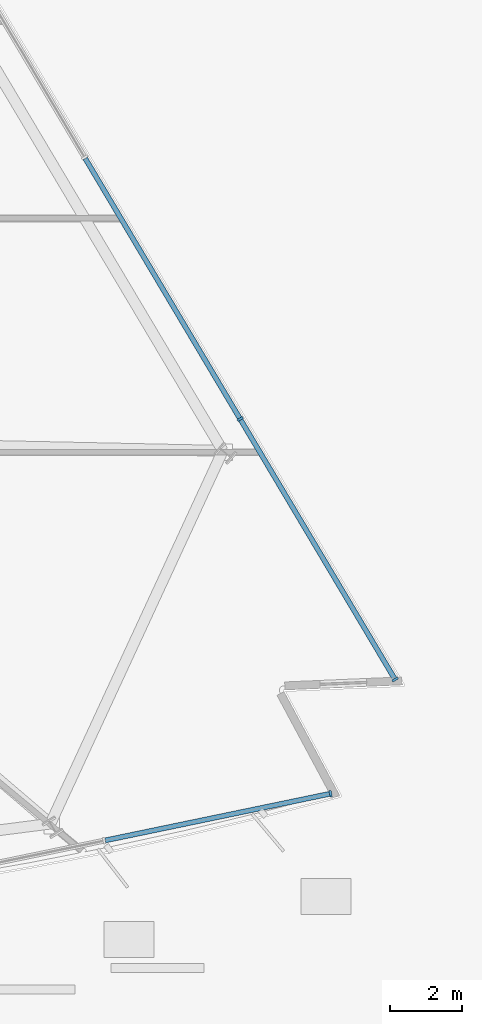
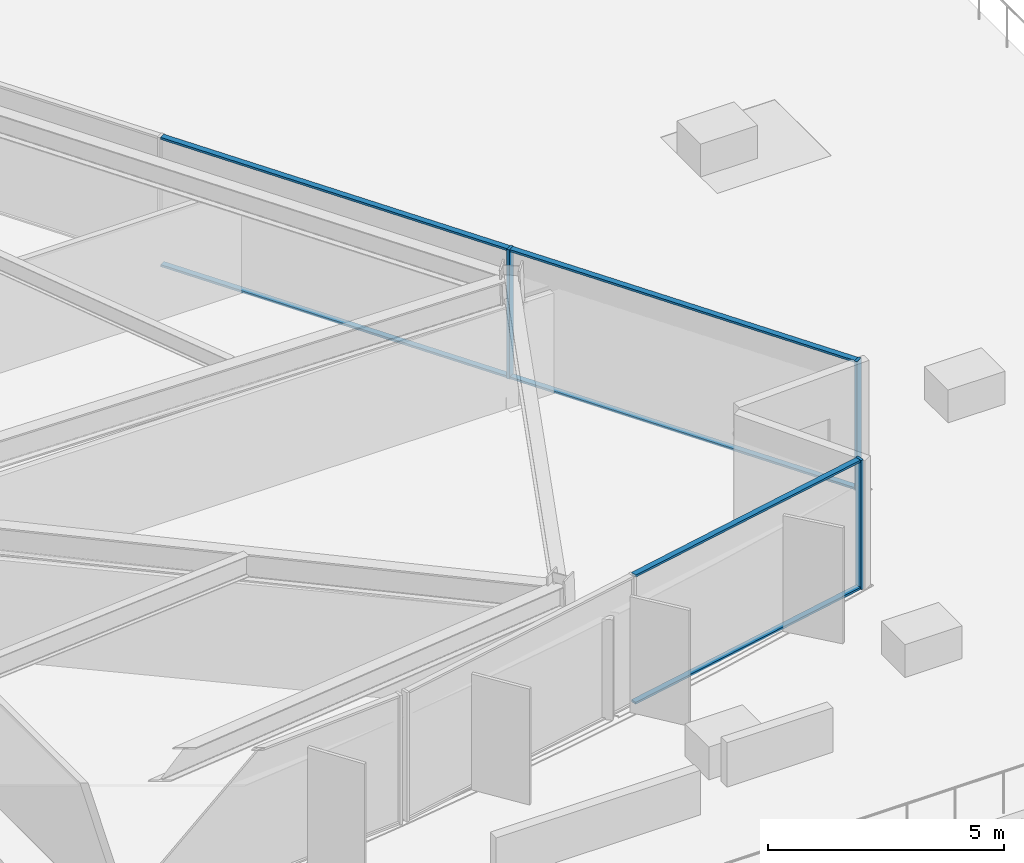
# One storey, part 6 of 19: 9 members, 2 elements without a shape of their own.
"""IFC4 building model written with IfcOpenShell, lengths in metres."""

from ifc_helpers import new_model, si_unit, direction, frame, origin, origin_2d, place, context, subcontext, project, spatial, rectangle, extrude, material, material_profile, profile_set, type_object, element, aggregate, save


model = new_model("IFC4")

# Units and contexts
model_context = context("Model", 3, precision=1e-05, world=origin(), true_north=direction((0.0, 1.0)))
body_context = subcontext(model_context, "Body", "Model", "MODEL_VIEW")
ifc_project = project(units=[si_unit("LENGTHUNIT", "METRE"), si_unit("AREAUNIT", "SQUARE_METRE"), si_unit("VOLUMEUNIT", "CUBIC_METRE"), si_unit("PLANEANGLEUNIT", "RADIAN"), si_unit("MASSUNIT", "GRAM", prefix="KILO")], contexts=[model_context])

# Site, building, storey
site_placement = place(None, origin())
site = spatial("IfcSite", under=ifc_project, at=site_placement, CompositionType="ELEMENT")
building_placement = place(site_placement, origin())
building = spatial("IfcBuilding", under=site, at=building_placement, Name="Savorim Split Tower", CompositionType="ELEMENT")
storey_placement = place(building_placement, frame((0.0, 0.0, 26.39990234375)))
storey = spatial("IfcBuildingStorey", under=building, at=storey_placement, Name="L06", CompositionType="ELEMENT", Elevation=26.39990234375)

# Curtain wall, member
ifc_material_1 = material(Name="Dark Ceramic-Fritted Insulated Glass", Category="glass")
curtain_wall_type = type_object("IfcCurtainWallType", Name="CW-TWR-FRIT-A", PredefinedType="NOTDEFINED", material=ifc_material_1)
curtain_wall_1_placement = place(storey_placement, origin())
curtain_wall_1 = element("IfcCurtainWall", 1, at=curtain_wall_1_placement, inside=storey, type_object=curtain_wall_type, Name="L06 Curtain Wall CW-L06-SF4", PredefinedType="NOTDEFINED")
ifc_material_2 = material(Name="Charcoal Anodised Aluminium", Category="aluminium")
ifc_material_profile_1 = material_profile(ifc_material_2, rectangle(XDim=0.179931640625, YDim=0.06494140625, at=origin_2d()), Name="ALU-M 180x65")
ifc_profile_set_1 = profile_set([ifc_material_profile_1], Name="Charcoal Anodised Aluminium")
member_type_1 = type_object("IfcMemberType", Name="CWM-180x65", PredefinedType="MULLION", material=ifc_profile_set_1)
member_1_placement = place(storey_placement, frame((28.12841796875, -19.333740234375, 0.0), z_axis=(0.0, 0.0, 1.0), x_axis=(-0.203210322793, 0.979135110549, 0.0)))
member_1 = element("IfcMember", 2, at=member_1_placement, type_object=member_type_1, Name="CW-02 mullion 3", PredefinedType="MULLION", context=body_context, shape_type="SweptSolid", body=[
    extrude(rectangle(XDim=0.179931640625, YDim=0.06494140625, at=origin_2d()), origin(), (0.0, 0.0, 1.0), 3.35009765625),
])

# Curtain wall, members
curtain_wall_2_placement = place(storey_placement, origin())
curtain_wall_2 = element("IfcCurtainWall", 3, at=curtain_wall_2_placement, inside=storey, type_object=curtain_wall_type, Name="L06 Curtain Wall CW-L06-EAST", PredefinedType="NOTDEFINED")
member_2_placement = place(storey_placement, frame((29.927978515625, -16.14990234375, 0.0), z_axis=(0.0, 0.0, 1.0), x_axis=(-0.859525752007, -0.511092439425, 0.0)))
member_2 = element("IfcMember", 4, at=member_2_placement, type_object=member_type_1, Name="CW-02 mullion 1", PredefinedType="MULLION", context=body_context, shape_type="SweptSolid", body=[
    extrude(rectangle(XDim=0.179931640625, YDim=0.06494140625, at=origin_2d()), origin(), (0.0, 0.0, 1.0), 3.35009765625),
])
member_3_placement = place(storey_placement, frame((25.604248046875, -8.878662109375, 0.0), z_axis=(0.0, 0.0, 1.0), x_axis=(-0.859525752007, -0.511092439425, 0.0)))
member_3 = element("IfcMember", 5, at=member_3_placement, type_object=member_type_1, Name="CW-02 mullion 2", PredefinedType="MULLION", context=body_context, shape_type="SweptSolid", body=[
    extrude(rectangle(XDim=0.179931640625, YDim=0.06494140625, at=origin_2d()), origin(), (0.0, 0.0, 1.0), 3.35009765625),
])

# Member
ifc_material_profile_2 = material_profile(ifc_material_2, rectangle(XDim=0.139892578125, YDim=0.054931640625, at=origin_2d()), Name="ALU-T 140x55")
ifc_profile_set_2 = profile_set([ifc_material_profile_2], Name="Charcoal Anodised Aluminium")
member_type_2 = type_object("IfcMemberType", Name="CWT-140x55", PredefinedType="USERDEFINED", material=ifc_profile_set_2)
member_4_placement = place(storey_placement, frame((21.83984375, -20.638916015625, 0.027587890625), z_axis=(0.979132403047, 0.203223368003, 0.0), x_axis=(-0.203223368003, 0.979132403047, 0.0)))
member_4 = element("IfcMember", 6, at=member_4_placement, type_object=member_type_2, Name="CW-02 transom 2.1", ObjectType="TRANSOM", PredefinedType="USERDEFINED", context=body_context, shape_type="SweptSolid", body=[
    extrude(rectangle(XDim=0.139892578125, YDim=0.054931640625, at=origin_2d()), origin(), (0.0, 0.0, 1.0), 6.389892578125),
])

member_5_placement = place(storey_placement, frame((21.83984375, -20.638916015625, 3.322509765625), z_axis=(0.979132403047, 0.203223368003, 0.0), x_axis=(-0.203223368003, 0.979132403047, 0.0)))
member_5 = element("IfcMember", 7, at=member_5_placement, type_object=member_type_2, Name="CW-02 transom 2.2", ObjectType="TRANSOM", PredefinedType="USERDEFINED", context=body_context, shape_type="SweptSolid", body=[
    extrude(rectangle(XDim=0.139892578125, YDim=0.054931640625, at=origin_2d()), origin(), (0.0, 0.0, 1.0), 6.389892578125),
])

aggregate(curtain_wall_1, [member_1, member_4, member_5])

member_6_placement = place(storey_placement, frame((29.911376953125, -16.1220703125, 0.027587890625), z_axis=(-0.511091652485, 0.859526219938, 0.0), x_axis=(-0.859526219938, -0.511091652485, 0.0)))
member_6 = element("IfcMember", 8, at=member_6_placement, type_object=member_type_2, Name="CW-02 transom 1.1", ObjectType="TRANSOM", PredefinedType="USERDEFINED", context=body_context, shape_type="SweptSolid", body=[
    extrude(rectangle(XDim=0.139892578125, YDim=0.054931640625, at=origin_2d()), origin(), (0.0, 0.0, 1.0), 8.394775390625),
])

member_7_placement = place(storey_placement, frame((29.911376953125, -16.1220703125, 3.322509765625), z_axis=(-0.511091652485, 0.859526219938, 0.0), x_axis=(-0.859526219938, -0.511091652485, 0.0)))
member_7 = element("IfcMember", 9, at=member_7_placement, type_object=member_type_2, Name="CW-02 transom 1.2", ObjectType="TRANSOM", PredefinedType="USERDEFINED", context=body_context, shape_type="SweptSolid", body=[
    extrude(rectangle(XDim=0.139892578125, YDim=0.054931640625, at=origin_2d()), origin(), (0.0, 0.0, 1.0), 8.394775390625),
])

member_8_placement = place(storey_placement, frame((25.587646484375, -8.8505859375, 0.027587890625), z_axis=(-0.511096217662, 0.859523505375, 0.0), x_axis=(-0.859523505375, -0.511096217662, 0.0)))
member_8 = element("IfcMember", 10, at=member_8_placement, type_object=member_type_2, Name="CW-02 transom 2.1", ObjectType="TRANSOM", PredefinedType="USERDEFINED", context=body_context, shape_type="SweptSolid", body=[
    extrude(rectangle(XDim=0.139892578125, YDim=0.054931640625, at=origin_2d()), origin(), (0.0, 0.0, 1.0), 8.42724609375),
])

member_9_placement = place(storey_placement, frame((25.587646484375, -8.8505859375, 3.322509765625), z_axis=(-0.511096217662, 0.859523505375, 0.0), x_axis=(-0.859523505375, -0.511096217662, 0.0)))
member_9 = element("IfcMember", 11, at=member_9_placement, type_object=member_type_2, Name="CW-02 transom 2.2", ObjectType="TRANSOM", PredefinedType="USERDEFINED", context=body_context, shape_type="SweptSolid", body=[
    extrude(rectangle(XDim=0.139892578125, YDim=0.054931640625, at=origin_2d()), origin(), (0.0, 0.0, 1.0), 8.42724609375),
])

aggregate(curtain_wall_2, [member_2, member_3, member_6, member_7, member_8, member_9])

save(model, "model.ifc")
